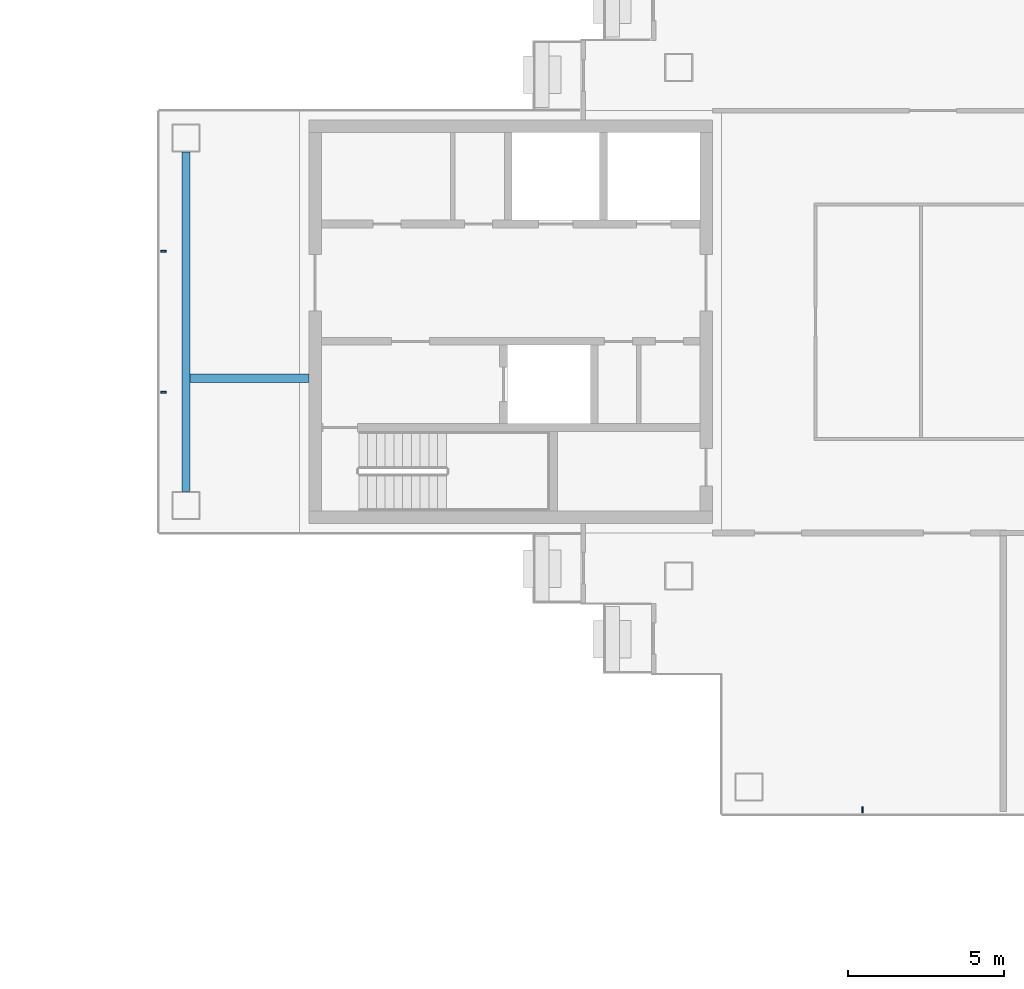
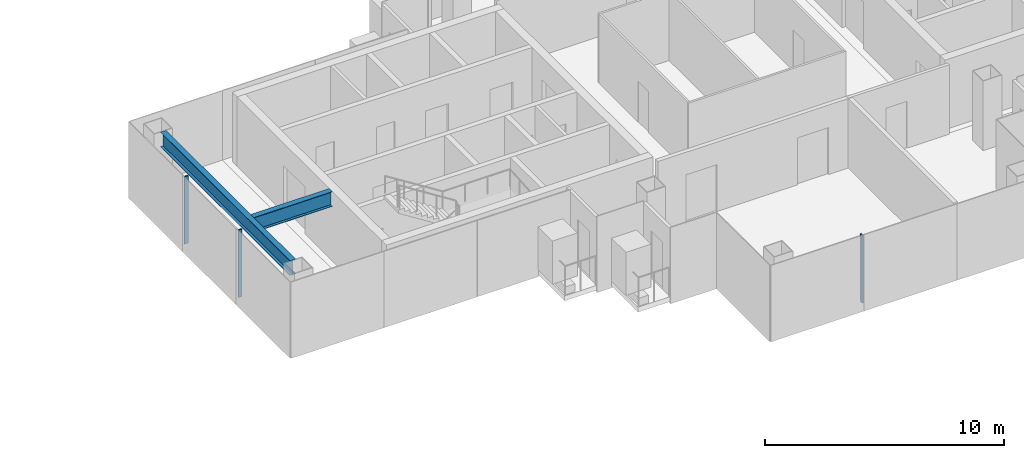
# One storey, part 5 of 16: 3 members, 2 beams, 2 elements without a shape of their own.
"""IFC4 building model written with IfcOpenShell, lengths in metres."""

from ifc_helpers import new_model, si_unit, direction, frame, origin, origin_2d, place, context, subcontext, project, spatial, rectangle, i_section, extrude, material, layer, layer_set, material_profile, profile_set, type_object, element, aggregate, save


model = new_model("IFC4")

# Units and contexts
model_context = context("Model", 3, precision=1e-05, world=origin(), true_north=direction((0.0, 1.0)))
body_context = subcontext(model_context, "Body", "Model", "MODEL_VIEW")
ifc_project = project(units=[si_unit("LENGTHUNIT", "METRE"), si_unit("AREAUNIT", "SQUARE_METRE"), si_unit("VOLUMEUNIT", "CUBIC_METRE"), si_unit("PLANEANGLEUNIT", "RADIAN"), si_unit("MASSUNIT", "GRAM", prefix="KILO")], contexts=[model_context])

# Site, building, storey
site_placement = place(None, origin())
site = spatial("IfcSite", under=ifc_project, at=site_placement, CompositionType="ELEMENT")
building_placement = place(site_placement, origin())
building = spatial("IfcBuilding", under=site, at=building_placement, Name="Shamsa Quay Exchange Towers", CompositionType="ELEMENT")
storey_placement = place(building_placement, frame((0.0, 0.0, 242.10009765625)))
storey = spatial("IfcBuildingStorey", under=building, at=storey_placement, Name="L58", CompositionType="ELEMENT", Elevation=242.10009765625)

# Curtain wall, members
ifc_material_1 = material(Name="Aluminium EN AW-6063 T6, black anodised", Category="aluminium")
ifc_layer = layer(ifc_material_1, 0.280029296875)
ifc_layer_set = layer_set([ifc_layer], Name="CW-1 UNITISED VISION GLASS")
curtain_wall_type = type_object("IfcCurtainWallType", Name="CW-1 UNITISED VISION GLASS", PredefinedType="NOTDEFINED", material=ifc_layer_set)
curtain_wall_1_placement = place(storey_placement, origin())
curtain_wall_1 = element("IfcCurtainWall", 1, at=curtain_wall_1_placement, inside=storey, type_object=curtain_wall_type, Name="CW1 T2-END-V+ L58", PredefinedType="NOTDEFINED")
ifc_material_profile_1 = material_profile(ifc_material_1, rectangle(XDim=0.179931640625, YDim=0.06005859375, at=origin_2d()), Name="MU60x180")
ifc_profile_set_1 = profile_set([ifc_material_profile_1], Name="Aluminium EN AW-6063 T6, black anodised")
member_type = type_object("IfcMemberType", Name="CW1 MULLION 60x180", PredefinedType="MULLION", material=ifc_profile_set_1)
member_1_placement = place(storey_placement, frame((9.14990234375, 2.25, 0.0)))
member_1 = element("IfcMember", 2, at=member_1_placement, type_object=member_type, Name="CW1 mullion", PredefinedType="MULLION", context=body_context, shape_type="SweptSolid", body=[
    extrude(rectangle(XDim=0.179931640625, YDim=0.06005859375, at=origin_2d()), origin(), (0.0, 0.0, 1.0), 3.449951171875),
])
member_2_placement = place(storey_placement, frame((9.14990234375, -2.25, 0.0)))
member_2 = element("IfcMember", 3, at=member_2_placement, type_object=member_type, Name="CW1 mullion", PredefinedType="MULLION", context=body_context, shape_type="SweptSolid", body=[
    extrude(rectangle(XDim=0.179931640625, YDim=0.06005859375, at=origin_2d()), origin(), (0.0, 0.0, 1.0), 3.449951171875),
])
aggregate(curtain_wall_1, [member_1, member_2])

# Curtain wall, member
curtain_wall_2_placement = place(storey_placement, origin())
curtain_wall_2 = element("IfcCurtainWall", 4, at=curtain_wall_2_placement, inside=storey, type_object=curtain_wall_type, Name="CW1 T2-END-U- L58", PredefinedType="NOTDEFINED")
member_3_placement = place(storey_placement, frame((31.5, -15.60009765625, 0.0), z_axis=(0.0, 0.0, 1.0), x_axis=(0.0, 1.0, 0.0)))
member_3 = element("IfcMember", 5, at=member_3_placement, type_object=member_type, Name="CW1 mullion", PredefinedType="MULLION", context=body_context, shape_type="SweptSolid", body=[
    extrude(rectangle(XDim=0.179931640625, YDim=0.06005859375, at=origin_2d()), origin(), (0.0, 0.0, 1.0), 3.449951171875),
])
aggregate(curtain_wall_2, [member_3])

# Beams
ifc_material_2 = material(Name="Steel S355", Category="steel")
ifc_material_profile_2 = material_profile(ifc_material_2, i_section(OverallWidth=0.26611328125, OverallDepth=0.7578125, WebThickness=0.013916015625, FlangeThickness=0.019287109375, at=origin_2d()), Name="W30x108")
ifc_profile_set_2 = profile_set([ifc_material_profile_2], Name="Steel S355")
beam_type = type_object("IfcBeamType", Name="End-zone beam W30x108", PredefinedType="BEAM", material=ifc_profile_set_2)
beam_1_placement = place(storey_placement, frame((9.875, -5.425048828125, 3.171142578125), z_axis=(0.0, 1.0, 0.0), x_axis=(-1.0, 0.0, 0.0)))
element("IfcBeam", 6, at=beam_1_placement, inside=storey, type_object=beam_type, Name="End beam T2 V+ end zone L58", PredefinedType="BEAM", context=body_context, shape_type="SweptSolid", body=[
    extrude(i_section(OverallWidth=0.26611328125, OverallDepth=0.7578125, WebThickness=0.013916015625, FlangeThickness=0.019287109375, at=origin_2d()), origin(), (0.0, 0.0, 1.0), 10.85009765625),
])
beam_2_placement = place(storey_placement, frame((13.800048828125, -1.800048828125, 3.171142578125), z_axis=(-1.0, 0.0, 0.0), x_axis=(0.0, -1.0, 0.0)))
element("IfcBeam", 7, at=beam_2_placement, inside=storey, type_object=beam_type, Name="Spine beam T2 V+ end zone L58", PredefinedType="BEAM", context=body_context, shape_type="SweptSolid", body=[
    extrude(i_section(OverallWidth=0.26611328125, OverallDepth=0.7578125, WebThickness=0.013916015625, FlangeThickness=0.019287109375, at=origin_2d()), origin(), (0.0, 0.0, 1.0), 3.7919921875),
])

save(model, "model.ifc")
